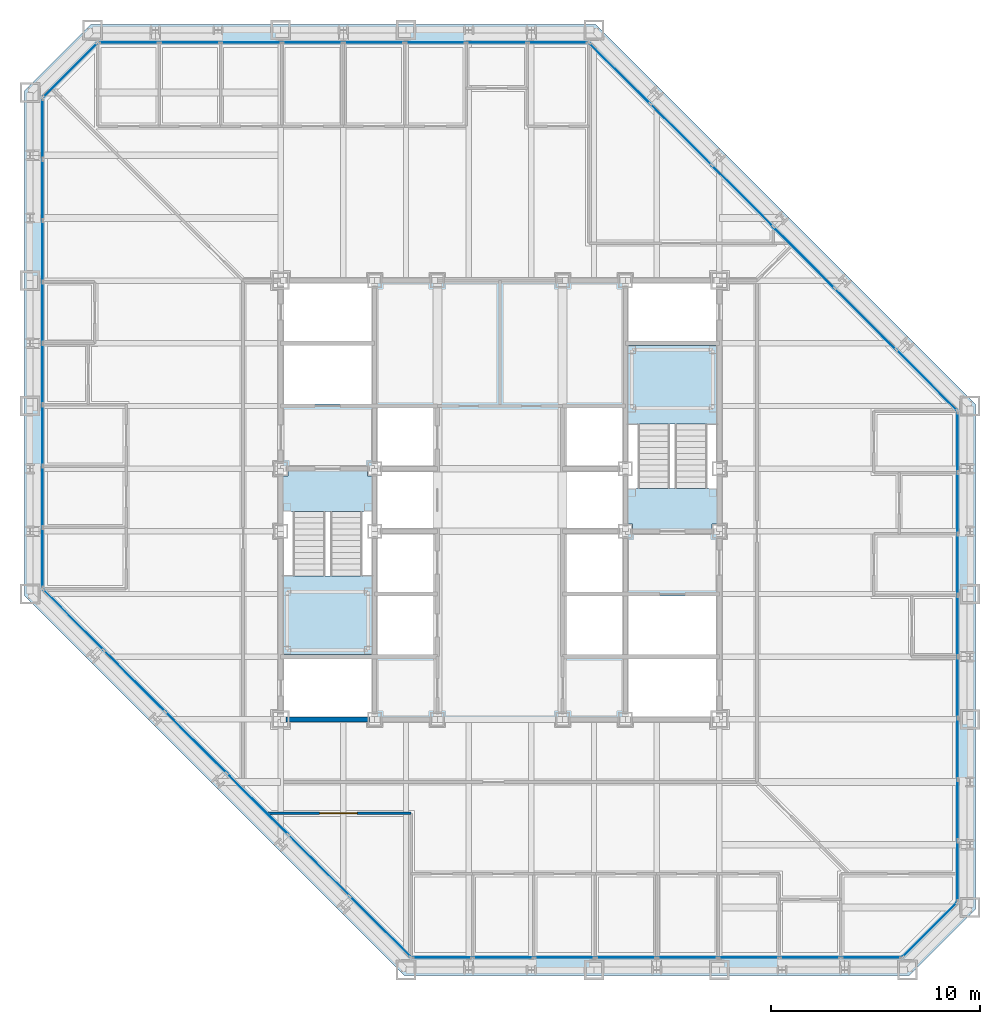
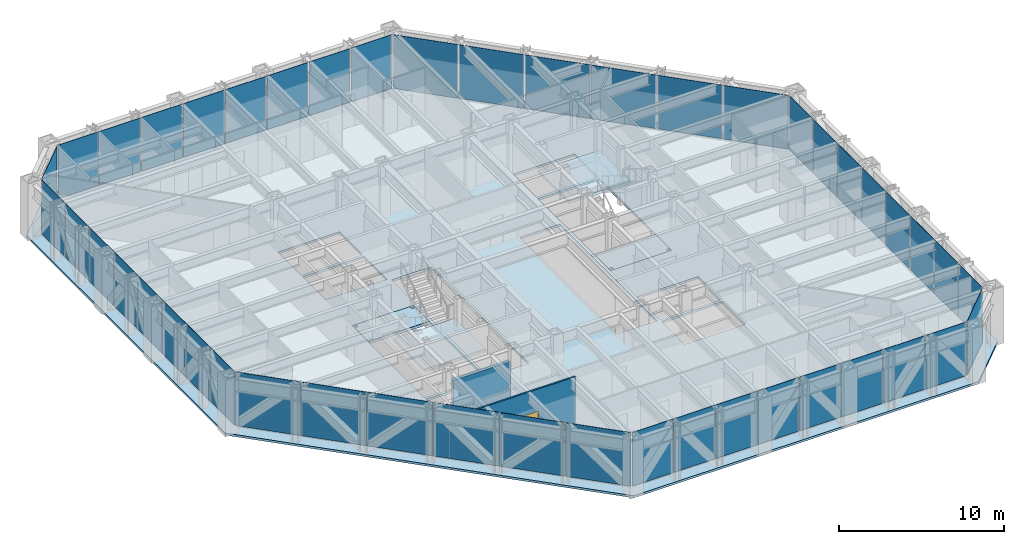
# One storey, part 9 of 17: 46 plates, 5 slabs, 2 walls, 1 door, 1 opening, 10 elements without a shape of their own.
"""IFC4 building model written with IfcOpenShell, lengths in metres."""

from ifc_helpers import new_model, si_unit, direction, frame, frame_2d, origin, origin_2d, place, context, subcontext, project, spatial, polyline, rectangle, outline, extrude, material, layer, layer_set, type_object, element, fill, aggregate, save


model = new_model("IFC4")

# Units and contexts
model_context = context("Model", 3, precision=1e-05, world=origin(), true_north=direction((0.0, 1.0)))
body_context = subcontext(model_context, "Body", "Model", "MODEL_VIEW")
ifc_project = project(units=[si_unit("LENGTHUNIT", "METRE"), si_unit("AREAUNIT", "SQUARE_METRE"), si_unit("VOLUMEUNIT", "CUBIC_METRE"), si_unit("PLANEANGLEUNIT", "RADIAN"), si_unit("MASSUNIT", "GRAM", prefix="KILO")], contexts=[model_context])

# Site, building, storey
site_placement = place(None, origin())
site = spatial("IfcSite", under=ifc_project, at=site_placement, CompositionType="ELEMENT")
building_placement = place(site_placement, origin())
building = spatial("IfcBuilding", under=site, at=building_placement, Name="Chuquiago Exchange Tower", CompositionType="ELEMENT")
storey_placement = place(building_placement, frame((0.0, 0.0, 132.0)))
storey = spatial("IfcBuildingStorey", under=building, at=storey_placement, Name="L28", CompositionType="ELEMENT", Elevation=132.0)

# Curtain wall, plates
ifc_material_1 = material(Name="Aluminium curtain wall system", Category="aluminium")
ifc_layer_1 = layer(ifc_material_1, 0.22509765625)
ifc_layer_set_1 = layer_set([ifc_layer_1], Name="CW2 office curtain wall")
curtain_wall_type_1 = type_object("IfcCurtainWallType", Name="CW2 office curtain wall", PredefinedType="NOTDEFINED", material=ifc_layer_set_1)
curtain_wall_1_placement = place(storey_placement, origin())
curtain_wall_1 = element("IfcCurtainWall", 1, at=curtain_wall_1_placement, inside=storey, type_object=curtain_wall_type_1, Name="CW2 curtain wall L28", PredefinedType="NOTDEFINED")
ifc_material_2 = material(Name="Glass, insulating unit", Category="glass")
ifc_layer_2 = layer(ifc_material_2, 0.030029296875)
ifc_layer_set_2 = layer_set([ifc_layer_2], Name="CW2-P panel 30")
plate_type_1 = type_object("IfcPlateType", Name="CW2-P panel 30", PredefinedType="CURTAIN_PANEL", material=ifc_layer_set_2)
plate_1_placement = place(storey_placement, frame((25.59326171875, 0.60009765625, 0.06494140625), z_axis=(0.0, 0.0, 1.0), x_axis=(1.0, 0.0, 0.0)))
plate_1 = element("IfcPlate", 2, at=plate_1_placement, type_object=plate_type_1, Name="CW2 panel 3.1", PredefinedType="CURTAIN_PANEL", context=body_context, shape_type="SweptSolid", body=[
    extrude(rectangle(XDim=2.872802734375, YDim=0.030029296875, at=origin_2d()), origin(), (0.0, 0.0, 1.0), 3.97509765625),
])
plate_2_placement = place(storey_placement, frame((34.40673828125, 0.60009765625, 0.06494140625), z_axis=(0.0, 0.0, 1.0), x_axis=(1.0, 0.0, 0.0)))
plate_2 = element("IfcPlate", 3, at=plate_2_placement, type_object=plate_type_1, Name="CW2 panel 6.1", PredefinedType="CURTAIN_PANEL", context=body_context, shape_type="SweptSolid", body=[
    extrude(rectangle(XDim=2.872802734375, YDim=0.030029296875, at=origin_2d()), origin(), (0.0, 0.0, 1.0), 3.97509765625),
])

curtain_wall_2_placement = place(storey_placement, origin())
curtain_wall_2 = element("IfcCurtainWall", 4, at=curtain_wall_2_placement, inside=storey, type_object=curtain_wall_type_1, Name="CW2 curtain wall L28", PredefinedType="NOTDEFINED")
plate_3_placement = place(storey_placement, frame((44.39990234375, 10.59326171875, 0.06494140625), z_axis=(0.0, 0.0, 1.0), x_axis=(0.0, 1.0, 0.0)))
plate_3 = element("IfcPlate", 5, at=plate_3_placement, type_object=plate_type_1, Name="CW2 panel 3.1", PredefinedType="CURTAIN_PANEL", context=body_context, shape_type="SweptSolid", body=[
    extrude(rectangle(XDim=2.872802734375, YDim=0.030029296875, at=origin_2d()), origin(), (0.0, 0.0, 1.0), 3.97509765625),
])
plate_4_placement = place(storey_placement, frame((44.39990234375, 19.40673828125, 0.06494140625), z_axis=(0.0, 0.0, 1.0), x_axis=(0.0, 1.0, 0.0)))
plate_4 = element("IfcPlate", 6, at=plate_4_placement, type_object=plate_type_1, Name="CW2 panel 6.1", PredefinedType="CURTAIN_PANEL", context=body_context, shape_type="SweptSolid", body=[
    extrude(rectangle(XDim=2.872802734375, YDim=0.030029296875, at=origin_2d()), origin(), (0.0, 0.0, 1.0), 3.97509765625),
])

curtain_wall_3_placement = place(storey_placement, origin())
curtain_wall_3 = element("IfcCurtainWall", 7, at=curtain_wall_3_placement, inside=storey, type_object=curtain_wall_type_1, Name="CW2 curtain wall L28", PredefinedType="NOTDEFINED")
plate_5_placement = place(storey_placement, frame((19.40673828125, 44.39990234375, 0.06494140625), z_axis=(0.0, 0.0, 1.0), x_axis=(-1.0, 0.0, 0.0)))
plate_5 = element("IfcPlate", 8, at=plate_5_placement, type_object=plate_type_1, Name="CW2 panel 3.1", PredefinedType="CURTAIN_PANEL", context=body_context, shape_type="SweptSolid", body=[
    extrude(rectangle(XDim=2.872802734375, YDim=0.030029296875, at=origin_2d()), origin(), (0.0, 0.0, 1.0), 3.97509765625),
])
plate_6_placement = place(storey_placement, frame((10.59326171875, 44.39990234375, 0.06494140625), z_axis=(0.0, 0.0, 1.0), x_axis=(-1.0, 0.0, 0.0)))
plate_6 = element("IfcPlate", 9, at=plate_6_placement, type_object=plate_type_1, Name="CW2 panel 6.1", PredefinedType="CURTAIN_PANEL", context=body_context, shape_type="SweptSolid", body=[
    extrude(rectangle(XDim=2.872802734375, YDim=0.030029296875, at=origin_2d()), origin(), (0.0, 0.0, 1.0), 3.97509765625),
])

curtain_wall_4_placement = place(storey_placement, origin())
curtain_wall_4 = element("IfcCurtainWall", 10, at=curtain_wall_4_placement, inside=storey, type_object=curtain_wall_type_1, Name="CW2 curtain wall L28", PredefinedType="NOTDEFINED")
plate_7_placement = place(storey_placement, frame((0.60009765625, 34.40673828125, 0.06494140625), z_axis=(0.0, 0.0, 1.0), x_axis=(0.0, -1.0, 0.0)))
plate_7 = element("IfcPlate", 11, at=plate_7_placement, type_object=plate_type_1, Name="CW2 panel 3.1", PredefinedType="CURTAIN_PANEL", context=body_context, shape_type="SweptSolid", body=[
    extrude(rectangle(XDim=2.872802734375, YDim=0.030029296875, at=origin_2d()), origin(), (0.0, 0.0, 1.0), 3.97509765625),
])
plate_8_placement = place(storey_placement, frame((0.60009765625, 25.59326171875, 0.06494140625), z_axis=(0.0, 0.0, 1.0), x_axis=(0.0, -1.0, 0.0)))
plate_8 = element("IfcPlate", 12, at=plate_8_placement, type_object=plate_type_1, Name="CW2 panel 6.1", PredefinedType="CURTAIN_PANEL", context=body_context, shape_type="SweptSolid", body=[
    extrude(rectangle(XDim=2.872802734375, YDim=0.030029296875, at=origin_2d()), origin(), (0.0, 0.0, 1.0), 3.97509765625),
])

# Plate
ifc_material_3 = material(Name="Insulated spandrel panel, pale anodised aluminium", Category="aluminium")
ifc_layer_3 = layer(ifc_material_3, 0.030029296875)
ifc_layer_set_3 = layer_set([ifc_layer_3], Name="CW2-P spandrel panel 30")
plate_type_2 = type_object("IfcPlateType", Name="CW2-P spandrel panel 30", PredefinedType="CURTAIN_PANEL", material=ifc_layer_set_3)
plate_9_placement = place(storey_placement, frame((19.733642578125, 0.60009765625, 0.06494140625), z_axis=(0.0, 0.0, 1.0), x_axis=(1.0, 0.0, 0.0)))
plate_9 = element("IfcPlate", 13, at=plate_9_placement, type_object=plate_type_2, Name="CW2 panel 1.1", PredefinedType="CURTAIN_PANEL", context=body_context, shape_type="SweptSolid", body=[
    extrude(rectangle(XDim=2.84033203125, YDim=0.030029296875, at=origin_2d()), origin(), (0.0, 0.0, 1.0), 3.97509765625),
])

plate_10_placement = place(storey_placement, frame((22.6552734375, 0.60009765625, 0.06494140625), z_axis=(0.0, 0.0, 1.0), x_axis=(1.0, 0.0, 0.0)))
plate_10 = element("IfcPlate", 14, at=plate_10_placement, type_object=plate_type_2, Name="CW2 panel 2.1", PredefinedType="CURTAIN_PANEL", context=body_context, shape_type="SweptSolid", body=[
    extrude(rectangle(XDim=2.872802734375, YDim=0.030029296875, at=origin_2d()), origin(), (0.0, 0.0, 1.0), 3.97509765625),
])

plate_11_placement = place(storey_placement, frame((28.531005859375, 0.60009765625, 0.06494140625), z_axis=(0.0, 0.0, 1.0), x_axis=(1.0, 0.0, 0.0)))
plate_11 = element("IfcPlate", 15, at=plate_11_placement, type_object=plate_type_2, Name="CW2 panel 4.1", PredefinedType="CURTAIN_PANEL", context=body_context, shape_type="SweptSolid", body=[
    extrude(rectangle(XDim=2.872802734375, YDim=0.030029296875, at=origin_2d()), origin(), (0.0, 0.0, 1.0), 3.97509765625),
])

plate_12_placement = place(storey_placement, frame((31.468994140625, 0.60009765625, 0.06494140625), z_axis=(0.0, 0.0, 1.0), x_axis=(1.0, 0.0, 0.0)))
plate_12 = element("IfcPlate", 16, at=plate_12_placement, type_object=plate_type_2, Name="CW2 panel 5.1", PredefinedType="CURTAIN_PANEL", context=body_context, shape_type="SweptSolid", body=[
    extrude(rectangle(XDim=2.872802734375, YDim=0.030029296875, at=origin_2d()), origin(), (0.0, 0.0, 1.0), 3.97509765625),
])

plate_13_placement = place(storey_placement, frame((37.3447265625, 0.60009765625, 0.06494140625), z_axis=(0.0, 0.0, 1.0), x_axis=(1.0, 0.0, 0.0)))
plate_13 = element("IfcPlate", 17, at=plate_13_placement, type_object=plate_type_2, Name="CW2 panel 7.1", PredefinedType="CURTAIN_PANEL", context=body_context, shape_type="SweptSolid", body=[
    extrude(rectangle(XDim=2.872802734375, YDim=0.030029296875, at=origin_2d()), origin(), (0.0, 0.0, 1.0), 3.97509765625),
])

plate_14_placement = place(storey_placement, frame((40.266357421875, 0.60009765625, 0.06494140625), z_axis=(0.0, 0.0, 1.0), x_axis=(1.0, 0.0, 0.0)))
plate_14 = element("IfcPlate", 18, at=plate_14_placement, type_object=plate_type_2, Name="CW2 panel 8.1", PredefinedType="CURTAIN_PANEL", context=body_context, shape_type="SweptSolid", body=[
    extrude(rectangle(XDim=2.84033203125, YDim=0.030029296875, at=origin_2d()), origin(), (0.0, 0.0, 1.0), 3.97509765625),
])

aggregate(curtain_wall_1, [plate_9, plate_10, plate_1, plate_11, plate_12, plate_2, plate_13, plate_14])

plate_15_placement = place(storey_placement, frame((44.39990234375, 4.733642578125, 0.06494140625), z_axis=(0.0, 0.0, 1.0), x_axis=(0.0, 1.0, 0.0)))
plate_15 = element("IfcPlate", 19, at=plate_15_placement, type_object=plate_type_2, Name="CW2 panel 1.1", PredefinedType="CURTAIN_PANEL", context=body_context, shape_type="SweptSolid", body=[
    extrude(rectangle(XDim=2.84033203125, YDim=0.030029296875, at=origin_2d()), origin(), (0.0, 0.0, 1.0), 3.97509765625),
])

plate_16_placement = place(storey_placement, frame((44.39990234375, 7.6552734375, 0.06494140625), z_axis=(0.0, 0.0, 1.0), x_axis=(0.0, 1.0, 0.0)))
plate_16 = element("IfcPlate", 20, at=plate_16_placement, type_object=plate_type_2, Name="CW2 panel 2.1", PredefinedType="CURTAIN_PANEL", context=body_context, shape_type="SweptSolid", body=[
    extrude(rectangle(XDim=2.872802734375, YDim=0.030029296875, at=origin_2d()), origin(), (0.0, 0.0, 1.0), 3.97509765625),
])

plate_17_placement = place(storey_placement, frame((44.39990234375, 13.531005859375, 0.06494140625), z_axis=(0.0, 0.0, 1.0), x_axis=(0.0, 1.0, 0.0)))
plate_17 = element("IfcPlate", 21, at=plate_17_placement, type_object=plate_type_2, Name="CW2 panel 4.1", PredefinedType="CURTAIN_PANEL", context=body_context, shape_type="SweptSolid", body=[
    extrude(rectangle(XDim=2.872802734375, YDim=0.030029296875, at=origin_2d()), origin(), (0.0, 0.0, 1.0), 3.97509765625),
])

plate_18_placement = place(storey_placement, frame((44.39990234375, 16.468994140625, 0.06494140625), z_axis=(0.0, 0.0, 1.0), x_axis=(0.0, 1.0, 0.0)))
plate_18 = element("IfcPlate", 22, at=plate_18_placement, type_object=plate_type_2, Name="CW2 panel 5.1", PredefinedType="CURTAIN_PANEL", context=body_context, shape_type="SweptSolid", body=[
    extrude(rectangle(XDim=2.872802734375, YDim=0.030029296875, at=origin_2d()), origin(), (0.0, 0.0, 1.0), 3.97509765625),
])

plate_19_placement = place(storey_placement, frame((44.39990234375, 22.3447265625, 0.06494140625), z_axis=(0.0, 0.0, 1.0), x_axis=(0.0, 1.0, 0.0)))
plate_19 = element("IfcPlate", 23, at=plate_19_placement, type_object=plate_type_2, Name="CW2 panel 7.1", PredefinedType="CURTAIN_PANEL", context=body_context, shape_type="SweptSolid", body=[
    extrude(rectangle(XDim=2.872802734375, YDim=0.030029296875, at=origin_2d()), origin(), (0.0, 0.0, 1.0), 3.97509765625),
])

plate_20_placement = place(storey_placement, frame((44.39990234375, 25.266357421875, 0.06494140625), z_axis=(0.0, 0.0, 1.0), x_axis=(0.0, 1.0, 0.0)))
plate_20 = element("IfcPlate", 24, at=plate_20_placement, type_object=plate_type_2, Name="CW2 panel 8.1", PredefinedType="CURTAIN_PANEL", context=body_context, shape_type="SweptSolid", body=[
    extrude(rectangle(XDim=2.84033203125, YDim=0.030029296875, at=origin_2d()), origin(), (0.0, 0.0, 1.0), 3.97509765625),
])

aggregate(curtain_wall_2, [plate_15, plate_16, plate_3, plate_17, plate_18, plate_4, plate_19, plate_20])

plate_21_placement = place(storey_placement, frame((25.266357421875, 44.39990234375, 0.06494140625), z_axis=(0.0, 0.0, 1.0), x_axis=(-1.0, 0.0, 0.0)))
plate_21 = element("IfcPlate", 25, at=plate_21_placement, type_object=plate_type_2, Name="CW2 panel 1.1", PredefinedType="CURTAIN_PANEL", context=body_context, shape_type="SweptSolid", body=[
    extrude(rectangle(XDim=2.84033203125, YDim=0.030029296875, at=origin_2d()), origin(), (0.0, 0.0, 1.0), 3.97509765625),
])

plate_22_placement = place(storey_placement, frame((22.3447265625, 44.39990234375, 0.06494140625), z_axis=(0.0, 0.0, 1.0), x_axis=(-1.0, 0.0, 0.0)))
plate_22 = element("IfcPlate", 26, at=plate_22_placement, type_object=plate_type_2, Name="CW2 panel 2.1", PredefinedType="CURTAIN_PANEL", context=body_context, shape_type="SweptSolid", body=[
    extrude(rectangle(XDim=2.872802734375, YDim=0.030029296875, at=origin_2d()), origin(), (0.0, 0.0, 1.0), 3.97509765625),
])

plate_23_placement = place(storey_placement, frame((16.468994140625, 44.39990234375, 0.06494140625), z_axis=(0.0, 0.0, 1.0), x_axis=(-1.0, 0.0, 0.0)))
plate_23 = element("IfcPlate", 27, at=plate_23_placement, type_object=plate_type_2, Name="CW2 panel 4.1", PredefinedType="CURTAIN_PANEL", context=body_context, shape_type="SweptSolid", body=[
    extrude(rectangle(XDim=2.872802734375, YDim=0.030029296875, at=origin_2d()), origin(), (0.0, 0.0, 1.0), 3.97509765625),
])

plate_24_placement = place(storey_placement, frame((13.531005859375, 44.39990234375, 0.06494140625), z_axis=(0.0, 0.0, 1.0), x_axis=(-1.0, 0.0, 0.0)))
plate_24 = element("IfcPlate", 28, at=plate_24_placement, type_object=plate_type_2, Name="CW2 panel 5.1", PredefinedType="CURTAIN_PANEL", context=body_context, shape_type="SweptSolid", body=[
    extrude(rectangle(XDim=2.872802734375, YDim=0.030029296875, at=origin_2d()), origin(), (0.0, 0.0, 1.0), 3.97509765625),
])

plate_25_placement = place(storey_placement, frame((7.6552734375, 44.39990234375, 0.06494140625), z_axis=(0.0, 0.0, 1.0), x_axis=(-1.0, 0.0, 0.0)))
plate_25 = element("IfcPlate", 29, at=plate_25_placement, type_object=plate_type_2, Name="CW2 panel 7.1", PredefinedType="CURTAIN_PANEL", context=body_context, shape_type="SweptSolid", body=[
    extrude(rectangle(XDim=2.872802734375, YDim=0.030029296875, at=origin_2d()), origin(), (0.0, 0.0, 1.0), 3.97509765625),
])

plate_26_placement = place(storey_placement, frame((4.733642578125, 44.39990234375, 0.06494140625), z_axis=(0.0, 0.0, 1.0), x_axis=(-1.0, 0.0, 0.0)))
plate_26 = element("IfcPlate", 30, at=plate_26_placement, type_object=plate_type_2, Name="CW2 panel 8.1", PredefinedType="CURTAIN_PANEL", context=body_context, shape_type="SweptSolid", body=[
    extrude(rectangle(XDim=2.84033203125, YDim=0.030029296875, at=origin_2d()), origin(), (0.0, 0.0, 1.0), 3.97509765625),
])

aggregate(curtain_wall_3, [plate_21, plate_22, plate_5, plate_23, plate_24, plate_6, plate_25, plate_26])

plate_27_placement = place(storey_placement, frame((0.60009765625, 40.266357421875, 0.06494140625), z_axis=(0.0, 0.0, 1.0), x_axis=(0.0, -1.0, 0.0)))
plate_27 = element("IfcPlate", 31, at=plate_27_placement, type_object=plate_type_2, Name="CW2 panel 1.1", PredefinedType="CURTAIN_PANEL", context=body_context, shape_type="SweptSolid", body=[
    extrude(rectangle(XDim=2.84033203125, YDim=0.030029296875, at=origin_2d()), origin(), (0.0, 0.0, 1.0), 3.97509765625),
])

plate_28_placement = place(storey_placement, frame((0.60009765625, 37.3447265625, 0.06494140625), z_axis=(0.0, 0.0, 1.0), x_axis=(0.0, -1.0, 0.0)))
plate_28 = element("IfcPlate", 32, at=plate_28_placement, type_object=plate_type_2, Name="CW2 panel 2.1", PredefinedType="CURTAIN_PANEL", context=body_context, shape_type="SweptSolid", body=[
    extrude(rectangle(XDim=2.872802734375, YDim=0.030029296875, at=origin_2d()), origin(), (0.0, 0.0, 1.0), 3.97509765625),
])

plate_29_placement = place(storey_placement, frame((0.60009765625, 31.468994140625, 0.06494140625), z_axis=(0.0, 0.0, 1.0), x_axis=(0.0, -1.0, 0.0)))
plate_29 = element("IfcPlate", 33, at=plate_29_placement, type_object=plate_type_2, Name="CW2 panel 4.1", PredefinedType="CURTAIN_PANEL", context=body_context, shape_type="SweptSolid", body=[
    extrude(rectangle(XDim=2.872802734375, YDim=0.030029296875, at=origin_2d()), origin(), (0.0, 0.0, 1.0), 3.97509765625),
])

plate_30_placement = place(storey_placement, frame((0.60009765625, 28.531005859375, 0.06494140625), z_axis=(0.0, 0.0, 1.0), x_axis=(0.0, -1.0, 0.0)))
plate_30 = element("IfcPlate", 34, at=plate_30_placement, type_object=plate_type_2, Name="CW2 panel 5.1", PredefinedType="CURTAIN_PANEL", context=body_context, shape_type="SweptSolid", body=[
    extrude(rectangle(XDim=2.872802734375, YDim=0.030029296875, at=origin_2d()), origin(), (0.0, 0.0, 1.0), 3.97509765625),
])

plate_31_placement = place(storey_placement, frame((0.60009765625, 22.6552734375, 0.06494140625), z_axis=(0.0, 0.0, 1.0), x_axis=(0.0, -1.0, 0.0)))
plate_31 = element("IfcPlate", 35, at=plate_31_placement, type_object=plate_type_2, Name="CW2 panel 7.1", PredefinedType="CURTAIN_PANEL", context=body_context, shape_type="SweptSolid", body=[
    extrude(rectangle(XDim=2.872802734375, YDim=0.030029296875, at=origin_2d()), origin(), (0.0, 0.0, 1.0), 3.97509765625),
])

plate_32_placement = place(storey_placement, frame((0.60009765625, 19.733642578125, 0.06494140625), z_axis=(0.0, 0.0, 1.0), x_axis=(0.0, -1.0, 0.0)))
plate_32 = element("IfcPlate", 36, at=plate_32_placement, type_object=plate_type_2, Name="CW2 panel 8.1", PredefinedType="CURTAIN_PANEL", context=body_context, shape_type="SweptSolid", body=[
    extrude(rectangle(XDim=2.84033203125, YDim=0.030029296875, at=origin_2d()), origin(), (0.0, 0.0, 1.0), 3.97509765625),
])

aggregate(curtain_wall_4, [plate_27, plate_28, plate_7, plate_29, plate_30, plate_8, plate_31, plate_32])

# Curtain wall, plate
ifc_material_4 = material(Name="Aluminium curtain wall system", Category="aluminium")
ifc_layer_4 = layer(ifc_material_4, 0.199951171875)
ifc_layer_set_4 = layer_set([ifc_layer_4], Name="CW3 facet curtain wall")
curtain_wall_type_2 = type_object("IfcCurtainWallType", Name="CW3 facet curtain wall", PredefinedType="NOTDEFINED", material=ifc_layer_set_4)
curtain_wall_5_placement = place(storey_placement, origin())
curtain_wall_5 = element("IfcCurtainWall", 37, at=curtain_wall_5_placement, inside=storey, type_object=curtain_wall_type_2, Name="CW3 curtain wall L28", PredefinedType="NOTDEFINED")
ifc_material_5 = material(Name="Insulated spandrel panel, pale anodised aluminium", Category="aluminium")
ifc_layer_5 = layer(ifc_material_5, 0.030029296875)
ifc_layer_set_5 = layer_set([ifc_layer_5], Name="CW3-P spandrel panel 30")
plate_type_3 = type_object("IfcPlateType", Name="CW3-P spandrel panel 30", PredefinedType="CURTAIN_PANEL", material=ifc_layer_set_5)
plate_33_placement = place(storey_placement, frame((43.07568359375, 1.92431640625, 0.06494140625), z_axis=(0.0, 0.0, 1.0), x_axis=(0.707106781187, 0.707106781187, 0.0)))
plate_33 = element("IfcPlate", 38, at=plate_33_placement, type_object=plate_type_3, Name="CW3 panel 1.1", PredefinedType="CURTAIN_PANEL", context=body_context, shape_type="SweptSolid", body=[
    extrude(rectangle(XDim=3.615478515625, YDim=0.030029296875, at=origin_2d()), origin(), (0.0, 0.0, 1.0), 3.97509765625),
])
aggregate(curtain_wall_5, [plate_33])

# Curtain wall, plates
curtain_wall_6_placement = place(storey_placement, origin())
curtain_wall_6 = element("IfcCurtainWall", 39, at=curtain_wall_6_placement, inside=storey, type_object=curtain_wall_type_2, Name="CW3 curtain wall L28", PredefinedType="NOTDEFINED")
plate_34_placement = place(storey_placement, frame((42.917724609375, 28.233642578125, 0.06494140625), z_axis=(0.0, 0.0, 1.0), x_axis=(-0.707106781187, 0.707106781187, 0.0)))
plate_34 = element("IfcPlate", 40, at=plate_34_placement, type_object=plate_type_3, Name="CW3 panel 1.1", PredefinedType="CURTAIN_PANEL", context=body_context, shape_type="SweptSolid", body=[
    extrude(rectangle(XDim=4.062255859375, YDim=0.030029296875, at=origin_2d()), origin(), (0.0, 0.0, 1.0), 3.97509765625),
])
plate_35_placement = place(storey_placement, frame((39.98779296875, 31.16357421875, 0.06494140625), z_axis=(0.0, 0.0, 1.0), x_axis=(-0.707106781187, 0.707106781187, 0.0)))
plate_35 = element("IfcPlate", 41, at=plate_35_placement, type_object=plate_type_3, Name="CW3 panel 2.1", PredefinedType="CURTAIN_PANEL", context=body_context, shape_type="SweptSolid", body=[
    extrude(rectangle(XDim=4.0947265625, YDim=0.030029296875, at=origin_2d()), origin(), (0.0, 0.0, 1.0), 3.97509765625),
])
plate_36_placement = place(storey_placement, frame((37.04638671875, 34.10498046875, 0.06494140625), z_axis=(0.0, 0.0, 1.0), x_axis=(-0.707106781187, 0.707106781187, 0.0)))
plate_36 = element("IfcPlate", 42, at=plate_36_placement, type_object=plate_type_3, Name="CW3 panel 3.1", PredefinedType="CURTAIN_PANEL", context=body_context, shape_type="SweptSolid", body=[
    extrude(rectangle(XDim=4.0947265625, YDim=0.030029296875, at=origin_2d()), origin(), (0.0, 0.0, 1.0), 3.97509765625),
])
plate_37_placement = place(storey_placement, frame((34.10498046875, 37.04638671875, 0.06494140625), z_axis=(0.0, 0.0, 1.0), x_axis=(-0.707106781187, 0.707106781187, 0.0)))
plate_37 = element("IfcPlate", 43, at=plate_37_placement, type_object=plate_type_3, Name="CW3 panel 4.1", PredefinedType="CURTAIN_PANEL", context=body_context, shape_type="SweptSolid", body=[
    extrude(rectangle(XDim=4.0947265625, YDim=0.030029296875, at=origin_2d()), origin(), (0.0, 0.0, 1.0), 3.97509765625),
])
plate_38_placement = place(storey_placement, frame((31.16357421875, 39.98779296875, 0.06494140625), z_axis=(0.0, 0.0, 1.0), x_axis=(-0.707106781187, 0.707106781187, 0.0)))
plate_38 = element("IfcPlate", 44, at=plate_38_placement, type_object=plate_type_3, Name="CW3 panel 5.1", PredefinedType="CURTAIN_PANEL", context=body_context, shape_type="SweptSolid", body=[
    extrude(rectangle(XDim=4.0947265625, YDim=0.030029296875, at=origin_2d()), origin(), (0.0, 0.0, 1.0), 3.97509765625),
])
plate_39_placement = place(storey_placement, frame((28.233642578125, 42.917724609375, 0.06494140625), z_axis=(0.0, 0.0, 1.0), x_axis=(-0.707106781187, 0.707106781187, 0.0)))
plate_39 = element("IfcPlate", 45, at=plate_39_placement, type_object=plate_type_3, Name="CW3 panel 6.1", PredefinedType="CURTAIN_PANEL", context=body_context, shape_type="SweptSolid", body=[
    extrude(rectangle(XDim=4.062255859375, YDim=0.030029296875, at=origin_2d()), origin(), (0.0, 0.0, 1.0), 3.97509765625),
])
aggregate(curtain_wall_6, [plate_34, plate_35, plate_36, plate_37, plate_38, plate_39])

# Curtain wall, plate
curtain_wall_7_placement = place(storey_placement, origin())
curtain_wall_7 = element("IfcCurtainWall", 46, at=curtain_wall_7_placement, inside=storey, type_object=curtain_wall_type_2, Name="CW3 curtain wall L28", PredefinedType="NOTDEFINED")
plate_40_placement = place(storey_placement, frame((1.92431640625, 43.07568359375, 0.06494140625), z_axis=(0.0, 0.0, 1.0), x_axis=(-0.707106781187, -0.707106781187, 0.0)))
plate_40 = element("IfcPlate", 47, at=plate_40_placement, type_object=plate_type_3, Name="CW3 panel 1.1", PredefinedType="CURTAIN_PANEL", context=body_context, shape_type="SweptSolid", body=[
    extrude(rectangle(XDim=3.615478515625, YDim=0.030029296875, at=origin_2d()), origin(), (0.0, 0.0, 1.0), 3.97509765625),
])
aggregate(curtain_wall_7, [plate_40])

# Curtain wall, plates
curtain_wall_8_placement = place(storey_placement, origin())
curtain_wall_8 = element("IfcCurtainWall", 48, at=curtain_wall_8_placement, inside=storey, type_object=curtain_wall_type_2, Name="CW3 curtain wall L28", PredefinedType="NOTDEFINED")
plate_41_placement = place(storey_placement, frame((2.082275390625, 16.766357421875, 0.06494140625), z_axis=(0.0, 0.0, 1.0), x_axis=(0.707106781187, -0.707106781187, 0.0)))
plate_41 = element("IfcPlate", 49, at=plate_41_placement, type_object=plate_type_3, Name="CW3 panel 1.1", PredefinedType="CURTAIN_PANEL", context=body_context, shape_type="SweptSolid", body=[
    extrude(rectangle(XDim=4.062255859375, YDim=0.030029296875, at=origin_2d()), origin(), (0.0, 0.0, 1.0), 3.97509765625),
])
plate_42_placement = place(storey_placement, frame((5.01220703125, 13.83642578125, 0.06494140625), z_axis=(0.0, 0.0, 1.0), x_axis=(0.707106781187, -0.707106781187, 0.0)))
plate_42 = element("IfcPlate", 50, at=plate_42_placement, type_object=plate_type_3, Name="CW3 panel 2.1", PredefinedType="CURTAIN_PANEL", context=body_context, shape_type="SweptSolid", body=[
    extrude(rectangle(XDim=4.0947265625, YDim=0.030029296875, at=origin_2d()), origin(), (0.0, 0.0, 1.0), 3.97509765625),
])
plate_43_placement = place(storey_placement, frame((7.95361328125, 10.89501953125, 0.06494140625), z_axis=(0.0, 0.0, 1.0), x_axis=(0.707106781187, -0.707106781187, 0.0)))
plate_43 = element("IfcPlate", 51, at=plate_43_placement, type_object=plate_type_3, Name="CW3 panel 3.1", PredefinedType="CURTAIN_PANEL", context=body_context, shape_type="SweptSolid", body=[
    extrude(rectangle(XDim=4.0947265625, YDim=0.030029296875, at=origin_2d()), origin(), (0.0, 0.0, 1.0), 3.97509765625),
])
plate_44_placement = place(storey_placement, frame((10.89501953125, 7.95361328125, 0.06494140625), z_axis=(0.0, 0.0, 1.0), x_axis=(0.707106781187, -0.707106781187, 0.0)))
plate_44 = element("IfcPlate", 52, at=plate_44_placement, type_object=plate_type_3, Name="CW3 panel 4.1", PredefinedType="CURTAIN_PANEL", context=body_context, shape_type="SweptSolid", body=[
    extrude(rectangle(XDim=4.0947265625, YDim=0.030029296875, at=origin_2d()), origin(), (0.0, 0.0, 1.0), 3.97509765625),
])
plate_45_placement = place(storey_placement, frame((13.83642578125, 5.01220703125, 0.06494140625), z_axis=(0.0, 0.0, 1.0), x_axis=(0.707106781187, -0.707106781187, 0.0)))
plate_45 = element("IfcPlate", 53, at=plate_45_placement, type_object=plate_type_3, Name="CW3 panel 5.1", PredefinedType="CURTAIN_PANEL", context=body_context, shape_type="SweptSolid", body=[
    extrude(rectangle(XDim=4.0947265625, YDim=0.030029296875, at=origin_2d()), origin(), (0.0, 0.0, 1.0), 3.97509765625),
])
plate_46_placement = place(storey_placement, frame((16.766357421875, 2.082275390625, 0.06494140625), z_axis=(0.0, 0.0, 1.0), x_axis=(0.707106781187, -0.707106781187, 0.0)))
plate_46 = element("IfcPlate", 54, at=plate_46_placement, type_object=plate_type_3, Name="CW3 panel 6.1", PredefinedType="CURTAIN_PANEL", context=body_context, shape_type="SweptSolid", body=[
    extrude(rectangle(XDim=4.062255859375, YDim=0.030029296875, at=origin_2d()), origin(), (0.0, 0.0, 1.0), 3.97509765625),
])
aggregate(curtain_wall_8, [plate_41, plate_42, plate_43, plate_44, plate_45, plate_46])

# Slab
ifc_material_6 = material(Name="Concrete C30/37", Category="concrete")
ifc_layer_6 = layer(ifc_material_6, 0.159912109375)
ifc_layer_set_6 = layer_set([ifc_layer_6], Name="FS1 composite floor 160")
slab_type_1 = type_object("IfcSlabType", Name="FS1 composite floor 160", PredefinedType="FLOOR", material=ifc_layer_set_6)
slab_1_placement = place(storey_placement, frame((0.0, 0.0, -0.159912109375)))
element("IfcSlab", 55, at=slab_1_placement, inside=storey, type_object=slab_type_1, Name="L28 floor slab", PredefinedType="FLOOR", context=body_context, shape_type="SweptSolid", body=[
    extrude(outline(polyline([(17.896484375, -0.25), (-0.25, 17.896484375), (-0.25, 42.103515625), (2.896484375, 45.25), (27.103515625, 45.25), (45.25, 27.103515625), (45.25, 2.896484375), (42.103515625, -0.25), (17.896484375, -0.25)]), holes=[polyline([(16.39990234375, 15.10009765625), (12.10009765625, 15.10009765625), (12.10009765625, 23.89990234375), (16.39990234375, 23.89990234375), (16.39990234375, 15.10009765625)]), polyline([(32.89990234375, 21.10009765625), (28.60009765625, 21.10009765625), (28.60009765625, 29.89990234375), (32.89990234375, 29.89990234375), (32.89990234375, 21.10009765625)]), polyline([(16.39990234375, 12.10009765625), (12.10009765625, 12.10009765625), (12.10009765625, 14.89990234375), (16.39990234375, 14.89990234375), (16.39990234375, 12.10009765625)]), polyline([(16.39990234375, 30.10009765625), (12.10009765625, 30.10009765625), (12.10009765625, 32.89990234375), (16.39990234375, 32.89990234375), (16.39990234375, 30.10009765625)]), polyline([(32.89990234375, 12.10009765625), (28.60009765625, 12.10009765625), (28.60009765625, 14.89990234375), (32.89990234375, 14.89990234375), (32.89990234375, 12.10009765625)]), polyline([(32.89990234375, 30.10009765625), (28.60009765625, 30.10009765625), (28.60009765625, 32.89990234375), (32.89990234375, 32.89990234375), (32.89990234375, 30.10009765625)]), polyline([(16.39990234375, 27.10009765625), (12.10009765625, 27.10009765625), (12.10009765625, 29.89990234375), (16.39990234375, 29.89990234375), (16.39990234375, 27.10009765625)]), polyline([(32.89990234375, 15.10009765625), (28.60009765625, 15.10009765625), (28.60009765625, 17.89990234375), (32.89990234375, 17.89990234375), (32.89990234375, 15.10009765625)]), polyline([(19.39990234375, 15.10009765625), (16.60009765625, 15.10009765625), (16.60009765625, 26.89990234375), (19.39990234375, 26.89990234375), (19.39990234375, 15.10009765625)]), polyline([(28.39990234375, 15.10009765625), (25.60009765625, 15.10009765625), (25.60009765625, 26.89990234375), (28.39990234375, 26.89990234375), (28.39990234375, 15.10009765625)])]), origin(), (0.0, 0.0, 1.0), 0.159912109375),
])

# Stair, slabs
ifc_material_7 = material(Name="Concrete C30/37, precast", Category="concrete")
stair_type_1 = type_object("IfcStairType", Name="ST1 half-turn stair 4200", PredefinedType="HALF_TURN_STAIR", material=ifc_material_7)
stair_1_placement = place(storey_placement, origin())
stair_1 = element("IfcStair", 56, at=stair_1_placement, inside=storey, type_object=stair_type_1, Name="Stair ST1 L28", PredefinedType="HALF_TURN_STAIR")
ifc_material_8 = material(Name="Concrete C30/37, precast", Category="concrete")
ifc_layer_7 = layer(ifc_material_8, 0.199951171875)
ifc_layer_set_7 = layer_set([ifc_layer_7], Name="ST-L landing 200")
slab_type_2 = type_object("IfcSlabType", Name="ST-L landing 200", PredefinedType="LANDING", material=ifc_layer_set_7)
slab_2_placement = place(storey_placement, frame((0.0, 0.0, -0.199951171875)))
slab_2 = element("IfcSlab", 57, at=slab_2_placement, type_object=slab_type_2, Name="ST1 landing 1", PredefinedType="LANDING", context=body_context, shape_type="SweptSolid", body=[
    extrude(outline(polyline([(12.35009765625, 23.89990234375), (16.14990234375, 23.89990234375), (16.14990234375, 23.64990234375), (16.39990234375, 23.64990234375), (16.39990234375, 21.949951171875), (12.10009765625, 21.949951171875), (12.10009765625, 23.64990234375), (12.35009765625, 23.64990234375), (12.35009765625, 23.89990234375)])), origin(), (0.0, 0.0, 1.0), 0.199951171875),
])
slab_3_placement = place(storey_placement, frame((0.0, 0.0, 1.89990234375)))
slab_3 = element("IfcSlab", 58, at=slab_3_placement, type_object=slab_type_2, Name="ST1 landing 2", PredefinedType="LANDING", context=body_context, shape_type="SweptSolid", body=[
    extrude(outline(polyline([(12.10009765625, 18.8701171875), (16.39990234375, 18.8701171875), (16.39990234375, 15.10009765625), (12.10009765625, 15.10009765625), (12.10009765625, 18.8701171875)])), origin(), (0.0, 0.0, 1.0), 0.2001953125),
])
aggregate(stair_1, [slab_2, slab_3])

ifc_material_9 = material(Name="Concrete C30/37, precast", Category="concrete")
stair_type_2 = type_object("IfcStairType", Name="ST2 half-turn stair 4200", PredefinedType="HALF_TURN_STAIR", material=ifc_material_9)
stair_2_placement = place(storey_placement, origin())
stair_2 = element("IfcStair", 59, at=stair_2_placement, inside=storey, type_object=stair_type_2, Name="Stair ST2 L28", PredefinedType="HALF_TURN_STAIR")
slab_4_placement = place(storey_placement, frame((0.0, 0.0, -0.199951171875)))
slab_4 = element("IfcSlab", 60, at=slab_4_placement, type_object=slab_type_2, Name="ST2 landing 1", PredefinedType="LANDING", context=body_context, shape_type="SweptSolid", body=[
    extrude(outline(polyline([(32.64990234375, 21.35009765625), (32.64990234375, 21.10009765625), (28.85009765625, 21.10009765625), (28.85009765625, 21.35009765625), (28.60009765625, 21.35009765625), (28.60009765625, 23.050048828125), (32.89990234375, 23.050048828125), (32.89990234375, 21.35009765625), (32.64990234375, 21.35009765625)])), origin(), (0.0, 0.0, 1.0), 0.199951171875),
])
slab_5_placement = place(storey_placement, frame((0.0, 0.0, 1.89990234375)))
slab_5 = element("IfcSlab", 61, at=slab_5_placement, type_object=slab_type_2, Name="ST2 landing 2", PredefinedType="LANDING", context=body_context, shape_type="SweptSolid", body=[
    extrude(outline(polyline([(28.60009765625, 29.89990234375), (32.89990234375, 29.89990234375), (32.89990234375, 26.1298828125), (28.60009765625, 26.1298828125), (28.60009765625, 29.89990234375)])), origin(), (0.0, 0.0, 1.0), 0.2001953125),
])
aggregate(stair_2, [slab_4, slab_5])

# Wall
ifc_material_10 = material(Name="Concrete masonry, fully grouted", Category="masonry")
ifc_layer_8 = layer(ifc_material_10, 0.25)
ifc_layer_set_8 = layer_set([ifc_layer_8], Name="W1 core wall 250")
wall_type_1 = type_object("IfcWallType", Name="W1 core wall 250", PredefinedType="SOLIDWALL", material=ifc_layer_set_8)
wall_1_placement = place(storey_placement, frame((12.25, 12.0, 0.0), z_axis=(0.0, 0.0, 1.0), x_axis=(1.0, 0.0, 0.0)))
element("IfcWall", 62, at=wall_1_placement, inside=storey, type_object=wall_type_1, Name="CW-L28-01-0", PredefinedType="SOLIDWALL", context=body_context, shape_type="SweptSolid", body=[
    extrude(rectangle(XDim=4.0, YDim=0.25, at=frame_2d((2.0, 0.0))), origin(), (0.0, 0.0, 1.0), 3.181396484375),
])

# Wall, opening, door
ifc_material_11 = material(Name="Gypsum board on steel studs", Category="steel")
ifc_layer_9 = layer(ifc_material_11, 0.1201171875)
ifc_layer_set_9 = layer_set([ifc_layer_9], Name="W4 partition 120")
wall_type_2 = type_object("IfcWallType", Name="W4 partition 120", PredefinedType="PARTITIONING", material=ifc_layer_set_9)
wall_2_placement = place(storey_placement, frame((11.385498046875, 7.5, 0.0), z_axis=(0.0, 0.0, 1.0), x_axis=(1.0, 0.0, 0.0)))
wall_2 = element("IfcWall", 63, at=wall_2_placement, inside=storey, type_object=wall_type_2, Name="PW-L28-SF00942", PredefinedType="PARTITIONING", context=body_context, shape_type="SweptSolid", body=[
    extrude(rectangle(XDim=6.863037109375, YDim=0.1201171875, at=frame_2d((3.431640625, 0.0))), origin(), (0.0, 0.0, 1.0), 4.0400390625),
])
opening_placement = place(wall_2_placement, frame((2.479248046875, 0.0, 0.0)))
opening = element("IfcOpeningElement", 64, at=opening_placement, cuts=wall_2, Name="Opening L28-019", PredefinedType="OPENING", context=body_context, shape_type="SweptSolid", body=[
    extrude(rectangle(XDim=1.800048828125, YDim=2.39990234375, at=frame_2d((0.89990234375, 1.199951171875))), frame((0.0, 0.070068359375, 0.0), z_axis=(0.0, -1.0, 0.0), x_axis=(1.0, 0.0, 0.0)), (0.0, 0.0, 1.0), 0.14013671875),
])
ifc_material_12 = material(Name="Timber door pair, laminate faced", Category="wood")
door_type = type_object("IfcDoorType", Name="D15 double room door 1800x2400", OperationType="DOUBLE_DOOR_DOUBLE_SWING", PredefinedType="DOOR", material=ifc_material_12)
door_placement = place(opening_placement, origin())
door = element("IfcDoor", 65, at=door_placement, inside=storey, type_object=door_type, Name="Broker lounge door", OperationType="DOUBLE_DOOR_DOUBLE_SWING", OverallHeight=2.39990234375, OverallWidth=1.800048828125, PredefinedType="DOOR", context=body_context, shape_type="SweptSolid", body=[
    extrude(rectangle(XDim=1.800048828125, YDim=2.39990234375, at=frame_2d((0.89990234375, 1.199951171875))), frame((0.0, 0.02490234375, 0.0), z_axis=(0.0, -1.0, 0.0), x_axis=(1.0, 0.0, 0.0)), (0.0, 0.0, 1.0), 0.050048828125),
])
fill(opening, door)

save(model, "model.ifc")
